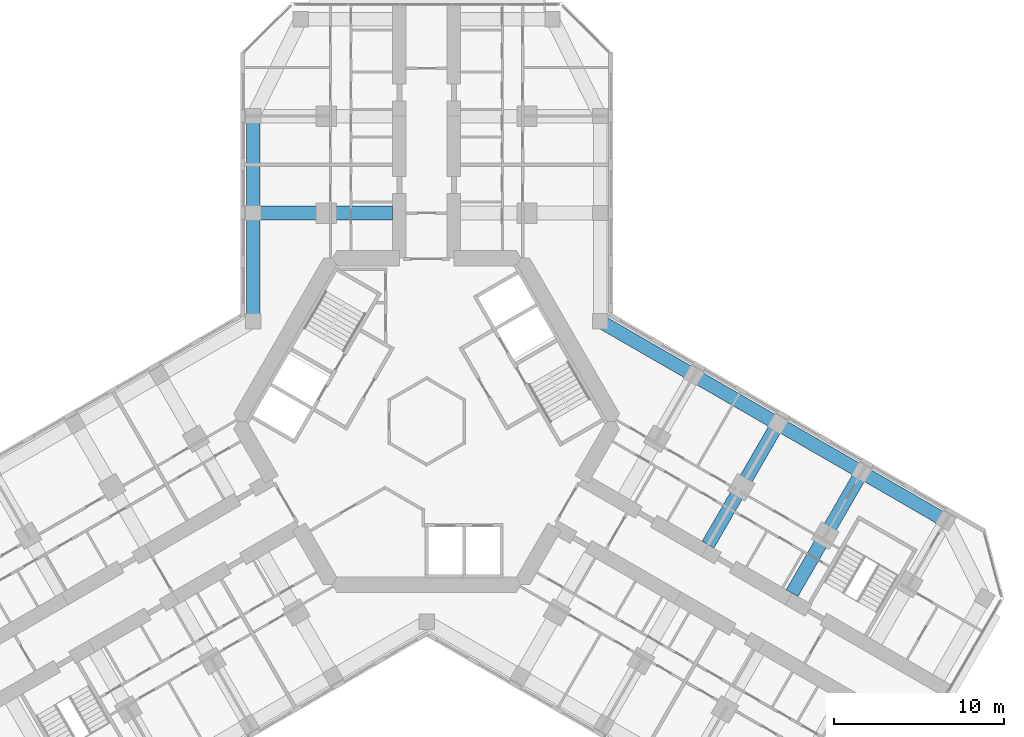
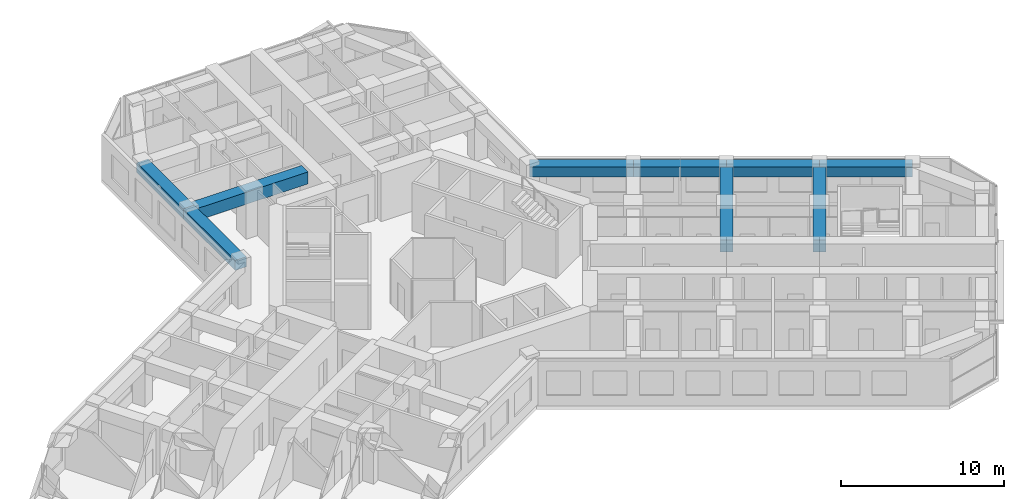
# One storey, part 6 of 19: 9 beams.
"""IFC4 building model written with IfcOpenShell, lengths in metres."""

from ifc_helpers import new_model, si_unit, direction, frame, origin, origin_2d, place, context, subcontext, project, spatial, rectangle, extrude, material, material_profile, profile_set, type_object, element, save


model = new_model("IFC4")

# Units and contexts
model_context = context("Model", 3, precision=1e-05, world=origin(), true_north=direction((0.0, 1.0)))
body_context = subcontext(model_context, "Body", "Model", "MODEL_VIEW")
ifc_project = project(units=[si_unit("LENGTHUNIT", "METRE"), si_unit("AREAUNIT", "SQUARE_METRE"), si_unit("VOLUMEUNIT", "CUBIC_METRE"), si_unit("PLANEANGLEUNIT", "RADIAN"), si_unit("MASSUNIT", "GRAM", prefix="KILO")], contexts=[model_context])

# Site, building, storey
site_placement = place(None, origin())
site = spatial("IfcSite", under=ifc_project, at=site_placement, CompositionType="ELEMENT")
building_placement = place(site_placement, origin())
building = spatial("IfcBuilding", under=site, at=building_placement, Name="Kosmar Iwan School Tower", CompositionType="ELEMENT")
storey_placement = place(building_placement, frame((0.0, 0.0, 172.39990234375)))
storey = spatial("IfcBuildingStorey", under=building, at=storey_placement, Name="L43", CompositionType="ELEMENT", Elevation=172.39990234375)

# Beams
ifc_material_1 = material(Name="Concrete C50/60", Category="concrete")
ifc_material_profile_1 = material_profile(ifc_material_1, rectangle(XDim=0.800048828125, YDim=0.75, at=origin_2d()), Name="RC 800x750")
ifc_profile_set_1 = profile_set([ifc_material_profile_1], Name="Concrete C50/60")
beam_type_1 = type_object("IfcBeamType", Name="RC edge beam 800x750", PredefinedType="BEAM", material=ifc_profile_set_1)
beam_1_placement = place(storey_placement, frame((-10.199951171875, 5.888916015625, 2.97509765625), z_axis=(0.0, 1.0, 0.0), x_axis=(-1.0, 0.0, 0.0)))
element("IfcBeam", 1, at=beam_1_placement, inside=storey, type_object=beam_type_1, Name="Edge beam AL1", PredefinedType="BEAM", context=body_context, shape_type="SweptSolid", body=[
    extrude(rectangle(XDim=0.800048828125, YDim=0.75, at=origin_2d()), origin(), (0.0, 0.0, 1.0), 6.361083984375),
])
beam_2_placement = place(storey_placement, frame((-10.199951171875, 12.25, 2.97509765625), z_axis=(0.0, 1.0, 0.0), x_axis=(-1.0, 0.0, 0.0)))
element("IfcBeam", 2, at=beam_2_placement, inside=storey, type_object=beam_type_1, Name="Edge beam AL2", PredefinedType="BEAM", context=body_context, shape_type="SweptSolid", body=[
    extrude(rectangle(XDim=0.800048828125, YDim=0.75, at=origin_2d()), origin(), (0.0, 0.0, 1.0), 5.699951171875),
])
beam_3_placement = place(storey_placement, frame((10.199951171875, 5.888916015625, 2.97509765625), z_axis=(0.866030912664, -0.49999045822, 0.0), x_axis=(0.49999045822, 0.866030912664, 0.0)))
element("IfcBeam", 3, at=beam_3_placement, inside=storey, type_object=beam_type_1, Name="Edge beam CL1", PredefinedType="BEAM", context=body_context, shape_type="SweptSolid", body=[
    extrude(rectangle(XDim=0.800048828125, YDim=0.75, at=origin_2d()), origin(), (0.0, 0.0, 1.0), 6.36083984375),
])
beam_4_placement = place(storey_placement, frame((15.708740234375, 2.70849609375, 2.97509765625), z_axis=(0.866025820012, -0.499999279071, 0.0), x_axis=(0.499999279071, 0.866025820012, 0.0)))
element("IfcBeam", 4, at=beam_4_placement, inside=storey, type_object=beam_type_1, Name="Edge beam CL2", PredefinedType="BEAM", context=body_context, shape_type="SweptSolid", body=[
    extrude(rectangle(XDim=0.800048828125, YDim=0.75, at=origin_2d()), origin(), (0.0, 0.0, 1.0), 5.7001953125),
])
for number, where, z_axis, x_axis, name in (
    (5, (20.645263671875, -0.1416015625, 2.97509765625), (0.866033658841, -0.49998570155, 0.0), (0.49998570155, 0.866033658841, 0.0), "Edge beam CL3"),
    (6, (25.58154296875, -2.991455078125, 2.97509765625), (0.866015111908, -0.50001782563, 0.0), (0.50001782563, 0.866015111908, 0.0), "Edge beam CL4"),
):
    element("IfcBeam", number, at=place(storey_placement, frame(where, z_axis=z_axis, x_axis=x_axis)), inside=storey, type_object=beam_type_1, Name=name, PredefinedType="BEAM", context=body_context, shape_type="SweptSolid", body=[
        extrude(rectangle(XDim=0.800048828125, YDim=0.75, at=origin_2d()), origin(), (0.0, 0.0, 1.0), 5.699951171875),
    ])
ifc_material_2 = material(Name="Concrete C50/60", Category="concrete")
ifc_material_profile_2 = material_profile(ifc_material_2, rectangle(XDim=0.800048828125, YDim=0.89990234375, at=origin_2d()), Name="RC 800x900")
ifc_profile_set_2 = profile_set([ifc_material_profile_2], Name="Concrete C50/60")
beam_type_2 = type_object("IfcBeamType", Name="RC transverse beam 800x900", PredefinedType="BEAM", material=ifc_profile_set_2)
for number, where, z_axis, x_axis, name in (
    (7, (-10.199951171875, 12.25, 2.900146484375), (1.0, 0.0, 0.0), (0.0, 1.0, 0.0), "Transverse beam AL1"),
    (8, (20.645263671875, -0.1416015625, 2.900146484375), (-0.500013681986, -0.866017504342, 0.0), (0.866017504342, -0.500013681986, 0.0), "Transverse beam CL2"),
):
    element("IfcBeam", number, at=place(storey_placement, frame(where, z_axis=z_axis, x_axis=x_axis)), inside=storey, type_object=beam_type_2, Name=name, PredefinedType="BEAM", context=body_context, shape_type="SweptSolid", body=[
        extrude(rectangle(XDim=0.800048828125, YDim=0.89990234375, at=origin_2d()), origin(), (0.0, 0.0, 1.0), 8.199951171875),
    ])
beam_5_placement = place(storey_placement, frame((25.58154296875, -2.991455078125, 2.900146484375), z_axis=(-0.500000789788, -0.8660249478, 0.0), x_axis=(0.8660249478, -0.500000789788, 0.0)))
element("IfcBeam", 9, at=beam_5_placement, inside=storey, type_object=beam_type_2, Name="Transverse beam CL3", PredefinedType="BEAM", context=body_context, shape_type="SweptSolid", body=[
    extrude(rectangle(XDim=0.800048828125, YDim=0.89990234375, at=origin_2d()), origin(), (0.0, 0.0, 1.0), 8.2001953125),
])

save(model, "model.ifc")
